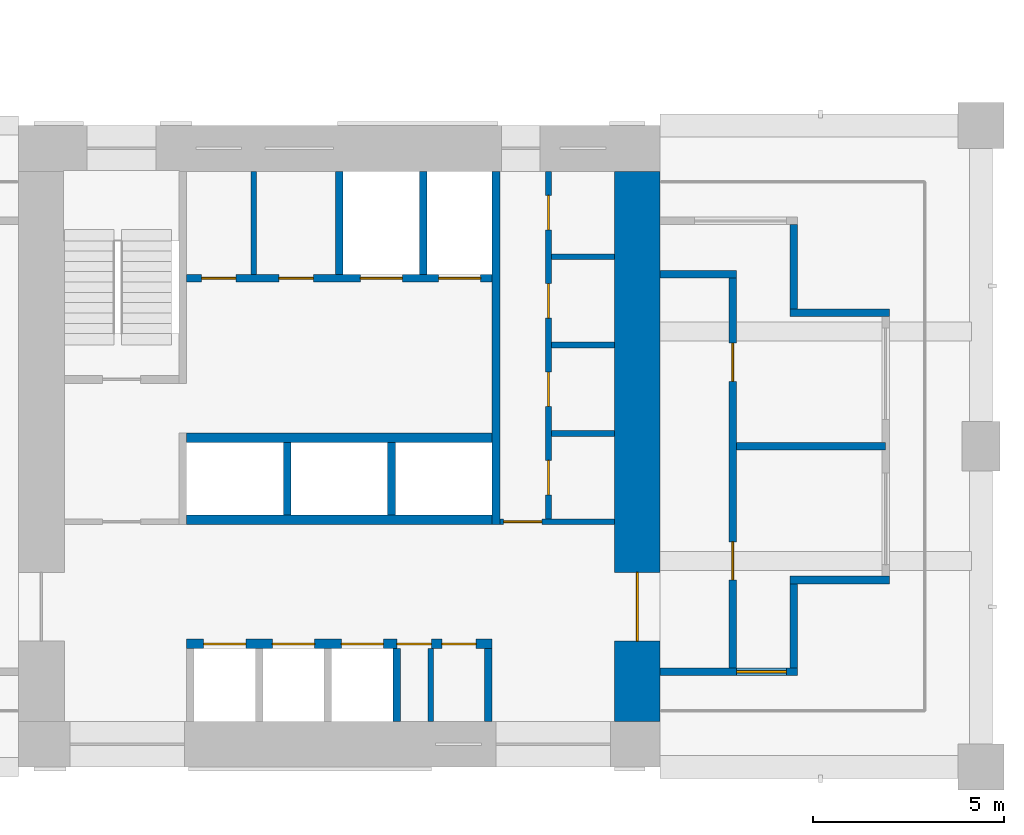
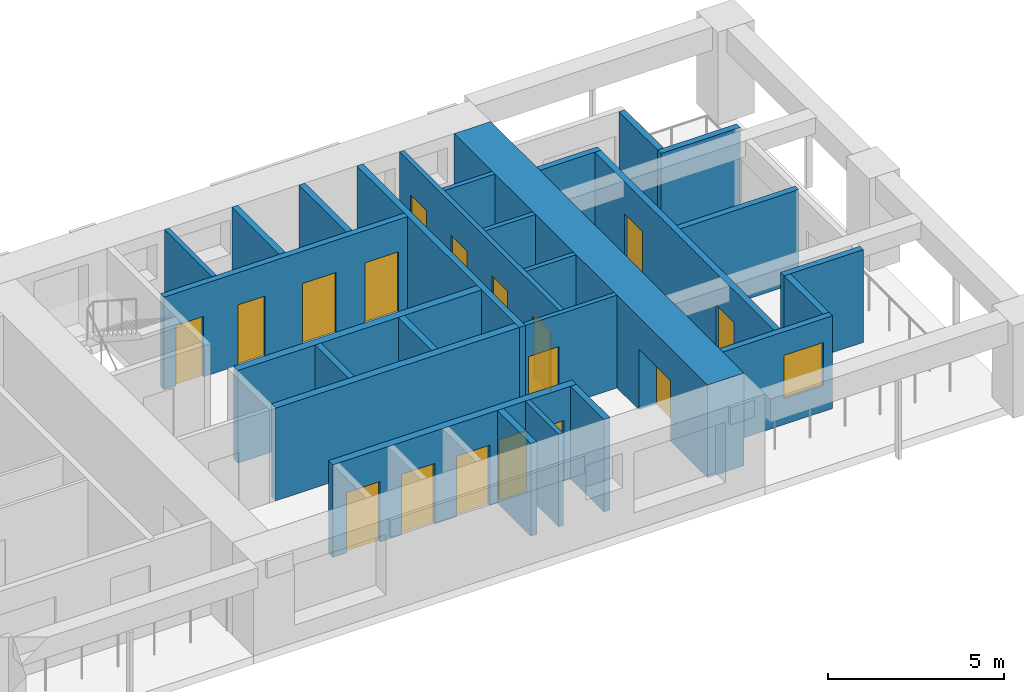
# One storey, part 6 of 17: 27 walls, 17 doors, 1 window, 18 openings.
"""IFC4 building model written with IfcOpenShell, lengths in metres."""

import ifcopenshell
import ifcopenshell.guid

model = None  # the IFC model being written
_history = None  # IfcOwnerHistory: only IFC2X3 demands one
_inside = {}  # id of a spatial element -> (the spatial element, [elements in it])
_under = {}  # id of a project, library or spatial element -> (it, [spatial elements below it])
_declared = {}  # id of a project -> (the project, [libraries it declares])
_typed = {}  # id of a type object -> (the type object, [elements of that type])
_made_of = {}  # id of a material, layer set ... -> (it, [elements and type objects made of it])


def new_model(schema):
    """Start an empty IFC model of exactly this schema.

    Asked for "IFC4X3", IfcOpenShell would pick the latest addendum, in which some entities
    have other attributes; the version numbers below select the first issue.
    IFC2X3 requires an IfcOwnerHistory on every rooted entity: one is made here for all.
    """
    global model, _history
    if schema == "IFC4X3":
        model = ifcopenshell.file(schema_version=(4, 3, 0, 0))
    else:
        model = ifcopenshell.file(schema=schema)
    _inside.clear()
    _under.clear()
    _declared.clear()
    _typed.clear()
    _made_of.clear()
    _history = None
    if model.schema == "IFC2X3":
        org = make("IfcOrganization", Name="unknown")
        user = make(
            "IfcPersonAndOrganization",
            ThePerson=make("IfcPerson", FamilyName="unknown"),
            TheOrganization=org,
        )
        app = make(
            "IfcApplication",
            ApplicationDeveloper=org,
            Version="unknown",
            ApplicationFullName="unknown",
            ApplicationIdentifier="unknown",
        )
        _history = make(
            "IfcOwnerHistory",
            OwningUser=user,
            OwningApplication=app,
            ChangeAction="ADDED",
            CreationDate=0,
        )
    return model


def make(cls, **values):
    """One entity of the class cls with the attributes given. An attribute that is None is left unset."""
    return model.create_entity(
        cls, **{name: value for name, value in values.items() if value is not None}
    )


def rooted(cls, **values):
    """An entity with a GlobalId (a new one), such as an element, a storey or a relation."""
    return make(cls, GlobalId=ifcopenshell.guid.new(), OwnerHistory=_history, **values)


def si_unit(unit_type, name, prefix=None):
    """IfcSIUnit, for example si_unit("LENGTHUNIT", "METRE", prefix="MILLI")."""
    return make("IfcSIUnit", UnitType=unit_type, Prefix=prefix, Name=name)


def assignment(units):
    """IfcUnitAssignment: the units of a project."""
    return None if units is None else make("IfcUnitAssignment", Units=units)


def point(xyz):
    """IfcCartesianPoint."""
    return None if xyz is None else make("IfcCartesianPoint", Coordinates=xyz)


def direction(xyz):
    """IfcDirection."""
    return None if xyz is None else make("IfcDirection", DirectionRatios=xyz)


def frame(location, z_axis=None, x_axis=None):
    """IfcAxis2Placement3D, a coordinate frame: its origin and axes. An axis left out is left unset."""
    return make(
        "IfcAxis2Placement3D",
        Location=point(location),
        Axis=direction(z_axis),
        RefDirection=direction(x_axis),
    )


def frame_2d(location, x_axis=None):
    """IfcAxis2Placement2D, a coordinate frame in the plane: its origin and x axis."""
    return make(
        "IfcAxis2Placement2D", Location=point(location), RefDirection=direction(x_axis)
    )


def origin():
    """The frame at (0, 0, 0) with its axes left unset."""
    return frame((0.0, 0.0, 0.0))


def place(relative_to, where):
    """IfcLocalPlacement: puts the frame where relative to a parent placement (None: the world)."""
    return make(
        "IfcLocalPlacement", PlacementRelTo=relative_to, RelativePlacement=where
    )


def context(
    kind, dimensions, precision=None, world=None, true_north=None, identifier=None
):
    """IfcGeometricRepresentationContext, for example the 3D "Model" context."""
    return make(
        "IfcGeometricRepresentationContext",
        ContextIdentifier=identifier,
        ContextType=kind,
        CoordinateSpaceDimension=dimensions,
        Precision=precision,
        WorldCoordinateSystem=world,
        TrueNorth=true_north,
    )


def subcontext(parent, identifier, kind, view, scale=None):
    """IfcGeometricRepresentationSubContext, for example "Body" below "Model"."""
    return make(
        "IfcGeometricRepresentationSubContext",
        ContextIdentifier=identifier,
        ContextType=kind,
        ParentContext=parent,
        TargetScale=scale,
        TargetView=view,
    )


def project(units=None, contexts=None):
    """IfcProject with its units and contexts."""
    return rooted(
        "IfcProject",
        Name="project",
        RepresentationContexts=contexts,
        UnitsInContext=assignment(units),
    )


def spatial(cls, under=None, at=None, **own):
    """A site, building, storey or space (cls), placed at a placement, below another one or the project."""
    s = rooted(cls, ObjectPlacement=at, **own)
    if under is not None:
        _under.setdefault(under.id(), (under, []))[1].append(s)
    return s


def profile(cls, at=None, kind="AREA", **sizes):
    """A parametric profile (cls). Its sizes go by their IFC names, for example OverallWidth=200.0."""
    return make(cls, ProfileType=kind, Position=at, **sizes)


def rectangle(**sizes):
    """IfcRectangleProfileDef."""
    return profile("IfcRectangleProfileDef", **sizes)


def extrude(swept, where, along, depth):
    """IfcExtrudedAreaSolid: the profile swept, set in the frame where, extruded along a direction by depth."""
    return make(
        "IfcExtrudedAreaSolid",
        SweptArea=swept,
        Position=where,
        ExtrudedDirection=direction(along),
        Depth=depth,
    )


def shape(context_of_items, identifier, shape_type, items):
    """IfcShapeRepresentation: the items that make up one representation, for example the "Body"."""
    return make(
        "IfcShapeRepresentation",
        ContextOfItems=context_of_items,
        RepresentationIdentifier=identifier,
        RepresentationType=shape_type,
        Items=items,
    )


def material(Name=None, Category=None):
    """IfcMaterial."""
    return make("IfcMaterial", Name=Name, Category=Category)


def layer(
    of_material, thickness, ventilated=None, Name=None, Category=None, Priority=None
):
    """IfcMaterialLayer: one layer of a wall or slab, of a material (None: an air gap)."""
    return make(
        "IfcMaterialLayer",
        Material=of_material,
        LayerThickness=thickness,
        IsVentilated=ventilated,
        Name=Name,
        Category=Category,
        Priority=Priority,
    )


def layer_set(layers, Name=None):
    """IfcMaterialLayerSet."""
    return make("IfcMaterialLayerSet", MaterialLayers=layers, LayerSetName=Name)


def made_of(thing, what):
    """Note that an element or type object is made of a material, layer set ...; save() writes the relation."""
    if what is not None:
        _made_of.setdefault(what.id(), (what, []))[1].append(thing)
    return thing


def type_object(cls, material=None, **own):
    """A type object (cls), such as IfcWallType, which elements share."""
    return made_of(rooted(cls, **own), material)


def element(
    cls,
    number,
    at=None,
    inside=None,
    cuts=None,
    type_object=None,
    material=None,
    context=None,
    identifier="Body",
    shape_type=None,
    held_by="IfcProductDefinitionShape",
    body=None,
    shapes=None,
    **own,
):
    """One element of the class cls, such as IfcWall. Its Tag is "e" and its number.

    at: its placement. inside: the storey or other place that contains it. cuts: it is an
    opening in that element (IfcRelVoidsElement). A single representation is given by context,
    identifier, shape_type and body (its items); several are given by shapes. held_by: the class
    of the entity that holds the representations. save() writes the other relations.
    """
    e = rooted(cls, Tag="e%d" % number, ObjectPlacement=at, **own)
    if body is not None:
        shapes = [shape(context, identifier, shape_type, body)]
    if shapes is not None:
        e.Representation = make(held_by, Representations=shapes)
    if inside is not None:
        _inside.setdefault(inside.id(), (inside, []))[1].append(e)
    if cuts is not None:
        rooted(
            "IfcRelVoidsElement", RelatingBuildingElement=cuts, RelatedOpeningElement=e
        )
    if type_object is not None:
        _typed.setdefault(type_object.id(), (type_object, []))[1].append(e)
    return made_of(e, material)


def fill(opening, filler):
    """IfcRelFillsElement: the door or window that sits in an opening."""
    return rooted(
        "IfcRelFillsElement",
        RelatingOpeningElement=opening,
        RelatedBuildingElement=filler,
    )


def aggregate(whole, parts):
    """IfcRelAggregates: a whole, such as a stair, and the parts it consists of."""
    return rooted("IfcRelAggregates", RelatingObject=whole, RelatedObjects=parts)


def save(model, path):
    """Write the relations noted so far, then the file.

    IfcRelAggregates (storeys below a building ...), IfcRelContainedInSpatialStructure (elements
    in a storey), IfcRelDefinesByType, IfcRelAssociatesMaterial and IfcRelDeclares: one each for
    every whole, place, type object, material and project.
    """
    for whole, parts in _under.values():
        aggregate(whole, parts)
    for where, things in _inside.values():
        rooted(
            "IfcRelContainedInSpatialStructure",
            RelatedElements=things,
            RelatingStructure=where,
        )
    for kind, things in _typed.values():
        rooted("IfcRelDefinesByType", RelatedObjects=things, RelatingType=kind)
    for what, things in _made_of.values():
        rooted("IfcRelAssociatesMaterial", RelatedObjects=things, RelatingMaterial=what)
    for by, libraries in _declared.values():
        rooted("IfcRelDeclares", RelatingContext=by, RelatedDefinitions=libraries)
    model.write(path)


model = new_model("IFC4")

# Units and contexts
model_context = context("Model", 3, precision=1e-05, world=origin(), true_north=direction((0.0, 1.0)))
body_context = subcontext(model_context, "Body", "Model", "MODEL_VIEW")
ifc_project = project(units=[si_unit("LENGTHUNIT", "METRE"), si_unit("AREAUNIT", "SQUARE_METRE"), si_unit("VOLUMEUNIT", "CUBIC_METRE"), si_unit("PLANEANGLEUNIT", "RADIAN"), si_unit("MASSUNIT", "GRAM", prefix="KILO")], contexts=[model_context])

# Site, building, storey
site_placement = place(None, origin())
site = spatial("IfcSite", under=ifc_project, at=site_placement, CompositionType="ELEMENT")
building_placement = place(site_placement, origin())
building = spatial("IfcBuilding", under=site, at=building_placement, Name="Vermilion Gate Residences", CompositionType="ELEMENT")
storey_placement = place(building_placement, frame((0.0, 0.0, 98.699951171875)))
storey = spatial("IfcBuildingStorey", under=building, at=storey_placement, Name="L24", CompositionType="ELEMENT", Elevation=98.699951171875)

# Walls
ifc_material_1 = material(Name="Masonry blockwork", Category="masonry")
ifc_layer_1 = layer(ifc_material_1, 0.14990234375)
ifc_layer_set_1 = layer_set([ifc_layer_1], Name="BLOCKWORK PARTITION 150 EI 120")
wall_type_1 = type_object("IfcWallType", Name="BLOCKWORK PARTITION 150 EI 120", PredefinedType="PARTITIONING", material=ifc_layer_set_1)
wall_1_placement = place(storey_placement, frame((52.79248046875, 9.60009765625, 0.0), z_axis=(0.0, 0.0, 1.0), x_axis=(0.0, 1.0, 0.0)))
element("IfcWall", 1, at=wall_1_placement, inside=storey, type_object=wall_type_1, Name="Core room partition A24-SR-P0", PredefinedType="PARTITIONING", context=body_context, shape_type="SweptSolid", body=[
    extrude(rectangle(XDim=1.89990234375, YDim=0.14990234375, at=frame_2d((0.949951171875, 0.0))), origin(), (0.0, 0.0, 1.0), 3.219970703125),
])
wall_2_placement = place(storey_placement, frame((48.16259765625, 21.300048828125, 0.0), z_axis=(0.0, 0.0, 1.0), x_axis=(0.0, 1.0, 0.0)))
element("IfcWall", 2, at=wall_2_placement, inside=storey, type_object=wall_type_1, Name="Core room partition A24-NR-P0", PredefinedType="PARTITIONING", context=body_context, shape_type="SweptSolid", body=[
    extrude(rectangle(XDim=2.699951171875, YDim=0.14990234375, at=frame_2d((1.35009765625, 0.0))), origin(), (0.0, 0.0, 1.0), 3.219970703125),
])

# Wall, opening, door
wall_3_placement = place(storey_placement, frame((54.60009765625, 14.824951171875, 0.0), z_axis=(0.0, 0.0, 1.0), x_axis=(1.0, 0.0, 0.0)))
wall_3 = element("IfcWall", 3, at=wall_3_placement, inside=storey, type_object=wall_type_1, Name="Core room partition A24-ES-S", PredefinedType="PARTITIONING", context=body_context, shape_type="SweptSolid", body=[
    extrude(rectangle(XDim=3.0, YDim=0.14990234375, at=frame_2d((1.5, 0.0))), origin(), (0.0, 0.0, 1.0), 3.219970703125),
])
opening_1_placement = place(wall_3_placement, frame((0.10009765625, 0.0, 0.0)))
opening_1 = element("IfcOpeningElement", 4, at=opening_1_placement, cuts=wall_3, Name="Opening DK24014", PredefinedType="OPENING", context=body_context, shape_type="SweptSolid", body=[
    extrude(rectangle(XDim=1.0, YDim=2.10009765625, at=frame_2d((0.5, 1.050048828125))), frame((0.0, 0.0849609375, 0.0), z_axis=(0.0, -1.0, 0.0), x_axis=(1.0, 0.0, 0.0)), (0.0, 0.0, 1.0), 0.169921875),
])
ifc_material_2 = material(Name="Steel", Category="steel")
door_type_1 = type_object("IfcDoorType", Name="FIRE DOOR FD60 1000 X 2100", OperationType="SINGLE_SWING_LEFT", PredefinedType="DOOR", material=ifc_material_2)
door_1_placement = place(opening_1_placement, frame((1.0, 0.0, 0.0), z_axis=(0.0, 0.0, 1.0), x_axis=(-1.0, 0.0, 0.0)))
door_1 = element("IfcDoor", 5, at=door_1_placement, inside=storey, type_object=door_type_1, Name="Service corridor door A24", OperationType="SINGLE_SWING_LEFT", OverallHeight=2.10009765625, OverallWidth=1.0, PredefinedType="DOOR", context=body_context, shape_type="SweptSolid", body=[
    extrude(rectangle(XDim=1.0, YDim=2.10009765625, at=frame_2d((0.5, 1.050048828125))), frame((0.0, 0.02490234375, 0.0), z_axis=(0.0, -1.0, 0.0), x_axis=(1.0, 0.0, 0.0)), (0.0, 0.0, 1.0), 0.050048828125),
])
fill(opening_1, door_1)

# Walls
for number, where, z_axis, x_axis, name in (
    (6, (55.949951171875, 17.137451171875, 0.0), (0.0, 0.0, 1.0), (1.0, 0.0, 0.0), "Core room partition A24-ES-P0"),
    (7, (55.949951171875, 19.449951171875, 0.0), (0.0, 0.0, 1.0), (1.0, 0.0, 0.0), "Core room partition A24-ES-P1"),
    (8, (55.949951171875, 21.762451171875, 0.0), (0.0, 0.0, 1.0), (1.0, 0.0, 0.0), "Core room partition A24-ES-P2"),
):
    element("IfcWall", number, at=place(storey_placement, frame(where, z_axis=z_axis, x_axis=x_axis)), inside=storey, type_object=wall_type_1, Name=name, PredefinedType="PARTITIONING", context=body_context, shape_type="SweptSolid", body=[
        extrude(rectangle(XDim=1.650146484375, YDim=0.14990234375, at=frame_2d((0.8251953125, 0.0))), origin(), (0.0, 0.0, 1.0), 3.219970703125),
    ])

# Wall, openings, doors
wall_4_placement = place(storey_placement, frame((55.875, 14.89990234375, 0.0), z_axis=(0.0, 0.0, 1.0), x_axis=(0.0, 1.0, 0.0)))
wall_4 = element("IfcWall", 9, at=wall_4_placement, inside=storey, type_object=wall_type_1, Name="Core room partition A24-ES-W", PredefinedType="PARTITIONING", context=body_context, shape_type="SweptSolid", body=[
    extrude(rectangle(XDim=9.10009765625, YDim=0.14990234375, at=frame_2d((4.550048828125, 0.0))), origin(), (0.0, 0.0, 1.0), 3.219970703125),
])
opening_2_placement = place(wall_4_placement, frame((0.63134765625, 0.0, 0.0)))
opening_2 = element("IfcOpeningElement", 10, at=opening_2_placement, cuts=wall_4, Name="Opening DK24015", PredefinedType="OPENING", context=body_context, shape_type="SweptSolid", body=[
    extrude(rectangle(XDim=0.89990234375, YDim=2.10009765625, at=frame_2d((0.449951171875, 1.050048828125))), frame((0.0, 0.0849609375, 0.0), z_axis=(0.0, -1.0, 0.0), x_axis=(1.0, 0.0, 0.0)), (0.0, 0.0, 1.0), 0.169921875),
])
opening_3_placement = place(wall_4_placement, frame((2.94384765625, 0.0, 0.0)))
opening_3 = element("IfcOpeningElement", 11, at=opening_3_placement, cuts=wall_4, Name="Opening DK24016", PredefinedType="OPENING", context=body_context, shape_type="SweptSolid", body=[
    extrude(rectangle(XDim=0.89990234375, YDim=2.10009765625, at=frame_2d((0.449951171875, 1.050048828125))), frame((0.0, 0.0849609375, 0.0), z_axis=(0.0, -1.0, 0.0), x_axis=(1.0, 0.0, 0.0)), (0.0, 0.0, 1.0), 0.169921875),
])
opening_4_placement = place(wall_4_placement, frame((5.25634765625, 0.0, 0.0)))
opening_4 = element("IfcOpeningElement", 12, at=opening_4_placement, cuts=wall_4, Name="Opening DK24017", PredefinedType="OPENING", context=body_context, shape_type="SweptSolid", body=[
    extrude(rectangle(XDim=0.89990234375, YDim=2.10009765625, at=frame_2d((0.449951171875, 1.050048828125))), frame((0.0, 0.0849609375, 0.0), z_axis=(0.0, -1.0, 0.0), x_axis=(1.0, 0.0, 0.0)), (0.0, 0.0, 1.0), 0.169921875),
])
opening_5_placement = place(wall_4_placement, frame((7.56884765625, 0.0, 0.0)))
opening_5 = element("IfcOpeningElement", 13, at=opening_5_placement, cuts=wall_4, Name="Opening DK24018", PredefinedType="OPENING", context=body_context, shape_type="SweptSolid", body=[
    extrude(rectangle(XDim=0.89990234375, YDim=2.10009765625, at=frame_2d((0.449951171875, 1.050048828125))), frame((0.0, 0.0849609375, 0.0), z_axis=(0.0, -1.0, 0.0), x_axis=(1.0, 0.0, 0.0)), (0.0, 0.0, 1.0), 0.169921875),
])
ifc_material_3 = material(Name="Steel", Category="steel")
door_type_2 = type_object("IfcDoorType", Name="SERVICE ROOM DOOR FD60 900 X 2100", OperationType="SINGLE_SWING_LEFT", PredefinedType="DOOR", material=ifc_material_3)
door_2_placement = place(opening_2_placement, frame((0.89990234375, 0.0, 0.0), z_axis=(0.0, 0.0, 1.0), x_axis=(-1.0, 0.0, 0.0)))
door_2 = element("IfcDoor", 14, at=door_2_placement, inside=storey, type_object=door_type_2, Name="Electrical room A24", OperationType="SINGLE_SWING_RIGHT", OverallHeight=2.10009765625, OverallWidth=0.89990234375, PredefinedType="DOOR", context=body_context, shape_type="SweptSolid", body=[
    extrude(rectangle(XDim=0.89990234375, YDim=2.10009765625, at=frame_2d((0.449951171875, 1.050048828125))), frame((0.0, 0.02490234375, 0.0), z_axis=(0.0, -1.0, 0.0), x_axis=(1.0, 0.0, 0.0)), (0.0, 0.0, 1.0), 0.050048828125),
])
fill(opening_2, door_2)
door_3_placement = place(opening_3_placement, frame((0.89990234375, 0.0, 0.0), z_axis=(0.0, 0.0, 1.0), x_axis=(-1.0, 0.0, 0.0)))
door_3 = element("IfcDoor", 15, at=door_3_placement, inside=storey, type_object=door_type_2, Name="Storage room A24", OperationType="SINGLE_SWING_RIGHT", OverallHeight=2.10009765625, OverallWidth=0.89990234375, PredefinedType="DOOR", context=body_context, shape_type="SweptSolid", body=[
    extrude(rectangle(XDim=0.89990234375, YDim=2.10009765625, at=frame_2d((0.449951171875, 1.050048828125))), frame((0.0, 0.02490234375, 0.0), z_axis=(0.0, -1.0, 0.0), x_axis=(1.0, 0.0, 0.0)), (0.0, 0.0, 1.0), 0.050048828125),
])
fill(opening_3, door_3)
door_4_placement = place(opening_4_placement, frame((0.89990234375, 0.0, 0.0), z_axis=(0.0, 0.0, 1.0), x_axis=(-1.0, 0.0, 0.0)))
door_4 = element("IfcDoor", 16, at=door_4_placement, inside=storey, type_object=door_type_2, Name="Storage room A24", OperationType="SINGLE_SWING_RIGHT", OverallHeight=2.10009765625, OverallWidth=0.89990234375, PredefinedType="DOOR", context=body_context, shape_type="SweptSolid", body=[
    extrude(rectangle(XDim=0.89990234375, YDim=2.10009765625, at=frame_2d((0.449951171875, 1.050048828125))), frame((0.0, 0.02490234375, 0.0), z_axis=(0.0, -1.0, 0.0), x_axis=(1.0, 0.0, 0.0)), (0.0, 0.0, 1.0), 0.050048828125),
])
fill(opening_4, door_4)
door_5_placement = place(opening_5_placement, frame((0.89990234375, 0.0, 0.0), z_axis=(0.0, 0.0, 1.0), x_axis=(-1.0, 0.0, 0.0)))
door_5 = element("IfcDoor", 17, at=door_5_placement, inside=storey, type_object=door_type_2, Name="Communications room A24", OperationType="SINGLE_SWING_RIGHT", OverallHeight=2.10009765625, OverallWidth=0.89990234375, PredefinedType="DOOR", context=body_context, shape_type="SweptSolid", body=[
    extrude(rectangle(XDim=0.89990234375, YDim=2.10009765625, at=frame_2d((0.449951171875, 1.050048828125))), frame((0.0, 0.02490234375, 0.0), z_axis=(0.0, -1.0, 0.0), x_axis=(1.0, 0.0, 0.0)), (0.0, 0.0, 1.0), 0.050048828125),
])
fill(opening_5, door_5)

# Wall, opening, window
ifc_material_4 = material(Name="Insulated steel stud wall with terracotta rainscreen", Category="masonry")
ifc_layer_2 = layer(ifc_material_4, 0.199951171875)
ifc_layer_set_2 = layer_set([ifc_layer_2], Name="EXTERNAL WALL 200 TERRACOTTA RAINSCREEN")
wall_type_2 = type_object("IfcWallType", Name="EXTERNAL WALL 200 TERRACOTTA RAINSCREEN", PredefinedType="SOLIDWALL", material=ifc_layer_set_2)
wall_5_placement = place(storey_placement, frame((58.800048828125, 10.89990234375, 0.0), z_axis=(0.0, 0.0, 1.0), x_axis=(1.0, 0.0, 0.0)))
wall_5 = element("IfcWall", 18, at=wall_5_placement, inside=storey, type_object=wall_type_2, Name="External wall", PredefinedType="SOLIDWALL", context=body_context, shape_type="SweptSolid", body=[
    extrude(rectangle(XDim=3.599853515625, YDim=0.199951171875, at=frame_2d((1.7998046875, 0.0))), origin(), (0.0, 0.0, 1.0), 3.219970703125),
])
opening_6_placement = place(wall_5_placement, frame((2.0, 0.0, 0.89990234375)))
opening_6 = element("IfcOpeningElement", 19, at=opening_6_placement, cuts=wall_5, Name="Opening WE24020", PredefinedType="OPENING", context=body_context, shape_type="SweptSolid", body=[
    extrude(rectangle(XDim=1.300048828125, YDim=1.5, at=frame_2d((0.64990234375, 0.75))), frame((0.0, 0.10986328125, 0.0), z_axis=(0.0, -1.0, 0.0), x_axis=(1.0, 0.0, 0.0)), (0.0, 0.0, 1.0), 0.219970703125),
])
ifc_material_5 = material(Name="Aluminium and clear glass", Category="aluminium")
window_type = type_object("IfcWindowType", Name="WINDOW 1300 X 1500", PartitioningType="SINGLE_PANEL", PredefinedType="WINDOW", material=ifc_material_5)
window_placement = place(opening_6_placement, origin())
window = element("IfcWindow", 20, at=window_placement, inside=storey, type_object=window_type, Name="Window", OverallHeight=1.5, OverallWidth=1.300048828125, PartitioningType="SINGLE_PANEL", PredefinedType="WINDOW", context=body_context, shape_type="SweptSolid", body=[
    extrude(rectangle(XDim=1.300048828125, YDim=1.5, at=frame_2d((0.64990234375, 0.75))), frame((0.0, 0.030029296875, 0.0), z_axis=(0.0, -1.0, 0.0), x_axis=(1.0, 0.0, 0.0)), (0.0, 0.0, 1.0), 0.06005859375),
])
fill(opening_6, window)

# Walls
wall_6_placement = place(storey_placement, frame((62.300048828125, 11.0, 0.0), z_axis=(0.0, 0.0, 1.0), x_axis=(0.0, 1.0, 0.0)))
element("IfcWall", 21, at=wall_6_placement, inside=storey, type_object=wall_type_2, Name="External wall", PredefinedType="SOLIDWALL", context=body_context, shape_type="SweptSolid", body=[
    extrude(rectangle(XDim=2.199951171875, YDim=0.199951171875, at=frame_2d((1.10009765625, 0.0))), origin(), (0.0, 0.0, 1.0), 3.219970703125),
])
for number, where, z_axis, x_axis, name in (
    (22, (62.199951171875, 13.300048828125, 0.0), (0.0, 0.0, 1.0), (1.0, 0.0, 0.0), "External wall"),
    (23, (64.800048828125, 20.300048828125, 0.0), (0.0, 0.0, 1.0), (-1.0, 0.0, 0.0), "External wall"),
):
    element("IfcWall", number, at=place(storey_placement, frame(where, z_axis=z_axis, x_axis=x_axis)), inside=storey, type_object=wall_type_2, Name=name, PredefinedType="SOLIDWALL", context=body_context, shape_type="SweptSolid", body=[
        extrude(rectangle(XDim=2.60009765625, YDim=0.199951171875, at=frame_2d((1.300048828125, 0.0))), origin(), (0.0, 0.0, 1.0), 3.219970703125),
    ])
wall_7_placement = place(storey_placement, frame((62.300048828125, 20.39990234375, 0.0), z_axis=(0.0, 0.0, 1.0), x_axis=(0.0, 1.0, 0.0)))
element("IfcWall", 24, at=wall_7_placement, inside=storey, type_object=wall_type_2, Name="External wall", PredefinedType="SOLIDWALL", context=body_context, shape_type="SweptSolid", body=[
    extrude(rectangle(XDim=2.2001953125, YDim=0.199951171875, at=frame_2d((1.10009765625, 0.0))), origin(), (0.0, 0.0, 1.0), 3.219970703125),
])
ifc_material_6 = material(Name="Fire-rated plasterboard on steel studs", Category="steel")
ifc_layer_3 = layer(ifc_material_6, 0.199951171875)
ifc_layer_set_3 = layer_set([ifc_layer_3], Name="PARTY WALL 200 EI 120")
wall_type_3 = type_object("IfcWallType", Name="PARTY WALL 200 EI 120", PredefinedType="PARTITIONING", material=ifc_layer_set_3)
wall_8_placement = place(storey_placement, frame((60.800048828125, 16.800048828125, 0.0), z_axis=(0.0, 0.0, 1.0), x_axis=(1.0, 0.0, 0.0)))
element("IfcWall", 25, at=wall_8_placement, inside=storey, type_object=wall_type_3, Name="Party and corridor wall", PredefinedType="PARTITIONING", context=body_context, shape_type="SweptSolid", body=[
    extrude(rectangle(XDim=3.89990234375, YDim=0.199951171875, at=frame_2d((1.949951171875, 0.0))), origin(), (0.0, 0.0, 1.0), 3.219970703125),
])
wall_9_placement = place(storey_placement, frame((58.800048828125, 21.300048828125, 0.0), z_axis=(0.0, 0.0, 1.0), x_axis=(1.0, 0.0, 0.0)))
element("IfcWall", 26, at=wall_9_placement, inside=storey, type_object=wall_type_3, Name="Party and corridor wall", PredefinedType="PARTITIONING", context=body_context, shape_type="SweptSolid", body=[
    extrude(rectangle(XDim=2.0, YDim=0.199951171875, at=frame_2d((1.0, 0.0))), origin(), (0.0, 0.0, 1.0), 3.219970703125),
])

# Wall, openings, doors
wall_10_placement = place(storey_placement, frame((60.699951171875, 10.89990234375, 0.0), z_axis=(0.0, 0.0, 1.0), x_axis=(0.0, 1.0, 0.0)))
wall_10 = element("IfcWall", 27, at=wall_10_placement, inside=storey, type_object=wall_type_3, Name="Party and corridor wall", PredefinedType="PARTITIONING", context=body_context, shape_type="SweptSolid", body=[
    extrude(rectangle(XDim=10.300048828125, YDim=0.199951171875, at=frame_2d((5.14990234375, 0.0))), origin(), (0.0, 0.0, 1.0), 3.219970703125),
])
opening_7_placement = place(wall_10_placement, frame((2.39990234375, 0.0, 0.0)))
opening_7 = element("IfcOpeningElement", 28, at=opening_7_placement, cuts=wall_10, Name="Opening DA22051", PredefinedType="OPENING", context=body_context, shape_type="SweptSolid", body=[
    extrude(rectangle(XDim=1.0, YDim=2.10009765625, at=frame_2d((0.5, 1.050048828125))), frame((0.0, 0.10986328125, 0.0), z_axis=(0.0, -1.0, 0.0), x_axis=(1.0, 0.0, 0.0)), (0.0, 0.0, 1.0), 0.219970703125),
])
opening_8_placement = place(wall_10_placement, frame((7.60009765625, 0.0, 0.0)))
opening_8 = element("IfcOpeningElement", 29, at=opening_8_placement, cuts=wall_10, Name="Opening DA22052", PredefinedType="OPENING", context=body_context, shape_type="SweptSolid", body=[
    extrude(rectangle(XDim=1.0, YDim=2.10009765625, at=frame_2d((0.5, 1.050048828125))), frame((0.0, 0.10986328125, 0.0), z_axis=(0.0, -1.0, 0.0), x_axis=(1.0, 0.0, 0.0)), (0.0, 0.0, 1.0), 0.219970703125),
])
ifc_material_7 = material(Name="Steel", Category="steel")
door_type_3 = type_object("IfcDoorType", Name="ENTRANCE DOOR 1000 X 2100 FD30", OperationType="SINGLE_SWING_LEFT", PredefinedType="DOOR", material=ifc_material_7)
door_6_placement = place(opening_7_placement, frame((1.0, 0.0, 0.0), z_axis=(0.0, 0.0, 1.0), x_axis=(-1.0, 0.0, 0.0)))
door_6 = element("IfcDoor", 30, at=door_6_placement, inside=storey, type_object=door_type_3, Name="Entrance door", OperationType="SINGLE_SWING_RIGHT", OverallHeight=2.10009765625, OverallWidth=1.0, PredefinedType="DOOR", context=body_context, shape_type="SweptSolid", body=[
    extrude(rectangle(XDim=1.0, YDim=2.10009765625, at=frame_2d((0.5, 1.050048828125))), frame((0.0, 0.02490234375, 0.0), z_axis=(0.0, -1.0, 0.0), x_axis=(1.0, 0.0, 0.0)), (0.0, 0.0, 1.0), 0.050048828125),
])
fill(opening_7, door_6)
door_7_placement = place(opening_8_placement, frame((1.0, 0.0, 0.0), z_axis=(0.0, 0.0, 1.0), x_axis=(-1.0, 0.0, 0.0)))
door_7 = element("IfcDoor", 31, at=door_7_placement, inside=storey, type_object=door_type_3, Name="Entrance door", OperationType="SINGLE_SWING_RIGHT", OverallHeight=2.10009765625, OverallWidth=1.0, PredefinedType="DOOR", context=body_context, shape_type="SweptSolid", body=[
    extrude(rectangle(XDim=1.0, YDim=2.10009765625, at=frame_2d((0.5, 1.050048828125))), frame((0.0, 0.02490234375, 0.0), z_axis=(0.0, -1.0, 0.0), x_axis=(1.0, 0.0, 0.0)), (0.0, 0.0, 1.0), 0.050048828125),
])
fill(opening_8, door_7)

# Walls
ifc_material_8 = material(Name="Concrete C60", Category="concrete")
ifc_layer_4 = layer(ifc_material_8, 0.199951171875)
ifc_layer_set_4 = layer_set([ifc_layer_4], Name="RC CORE INTERNAL WALL 200 C60")
wall_type_4 = type_object("IfcWallType", Name="RC CORE INTERNAL WALL 200 C60", PredefinedType="SHEAR", material=ifc_layer_set_4)
for number, where, z_axis, x_axis, name in (
    (32, (51.89990234375, 9.60009765625, 0.0), (0.0, 0.0, 1.0), (0.0, 1.0, 0.0), "Core internal wall A24-LR-D3"),
    (33, (54.300048828125, 9.60009765625, 0.0), (0.0, 0.0, 1.0), (0.0, 1.0, 0.0), "Core internal wall A24-LR-DE"),
    (34, (49.033447265625, 15.0, 0.0), (0.0, 0.0, 1.0), (0.0, 1.0, 0.0), "Core internal wall A24-HR-D1"),
    (35, (51.7666015625, 15.0, 0.0), (0.0, 0.0, 1.0), (0.0, 1.0, 0.0), "Core internal wall A24-HR-D2"),
):
    element("IfcWall", number, at=place(storey_placement, frame(where, z_axis=z_axis, x_axis=x_axis)), inside=storey, type_object=wall_type_4, Name=name, PredefinedType="SHEAR", context=body_context, shape_type="SweptSolid", body=[
        extrude(rectangle(XDim=1.89990234375, YDim=0.199951171875, at=frame_2d((0.949951171875, 0.0))), origin(), (0.0, 0.0, 1.0), 3.219970703125),
    ])
for number, where, z_axis, x_axis, name in (
    (36, (50.39990234375, 21.300048828125, 0.0), (0.0, 0.0, 1.0), (0.0, 1.0, 0.0), "Core internal wall A24-FF-D0"),
    (37, (52.60009765625, 21.300048828125, 0.0), (0.0, 0.0, 1.0), (0.0, 1.0, 0.0), "Core internal wall A24-FF-D1"),
):
    element("IfcWall", number, at=place(storey_placement, frame(where, z_axis=z_axis, x_axis=x_axis)), inside=storey, type_object=wall_type_4, Name=name, PredefinedType="SHEAR", context=body_context, shape_type="SweptSolid", body=[
        extrude(rectangle(XDim=2.699951171875, YDim=0.199951171875, at=frame_2d((1.35009765625, 0.0))), origin(), (0.0, 0.0, 1.0), 3.219970703125),
    ])

# Wall, openings, doors
wall_11_placement = place(storey_placement, frame((46.39990234375, 21.199951171875, 0.0), z_axis=(0.0, 0.0, 1.0), x_axis=(1.0, 0.0, 0.0)))
wall_11 = element("IfcWall", 38, at=wall_11_placement, inside=storey, type_object=wall_type_4, Name="Core internal wall A24-FF-F", PredefinedType="SHEAR", context=body_context, shape_type="SweptSolid", body=[
    extrude(rectangle(XDim=8.0, YDim=0.199951171875, at=frame_2d((4.0, 0.0))), origin(), (0.0, 0.0, 1.0), 3.219970703125),
])
opening_9_placement = place(wall_11_placement, frame((0.393798828125, 0.0, 0.0)))
opening_9 = element("IfcOpeningElement", 39, at=opening_9_placement, cuts=wall_11, Name="Opening DK24008", PredefinedType="OPENING", context=body_context, shape_type="SweptSolid", body=[
    extrude(rectangle(XDim=0.89990234375, YDim=2.10009765625, at=frame_2d((0.449951171875, 1.050048828125))), frame((0.0, 0.10986328125, 0.0), z_axis=(0.0, -1.0, 0.0), x_axis=(1.0, 0.0, 0.0)), (0.0, 0.0, 1.0), 0.219970703125),
])
opening_10_placement = place(wall_11_placement, frame((2.418701171875, 0.0, 0.0)))
opening_10 = element("IfcOpeningElement", 40, at=opening_10_placement, cuts=wall_11, Name="Opening DK24009", PredefinedType="OPENING", context=body_context, shape_type="SweptSolid", body=[
    extrude(rectangle(XDim=0.89990234375, YDim=2.10009765625, at=frame_2d((0.449951171875, 1.050048828125))), frame((0.0, 0.10986328125, 0.0), z_axis=(0.0, -1.0, 0.0), x_axis=(1.0, 0.0, 0.0)), (0.0, 0.0, 1.0), 0.219970703125),
])
opening_11_placement = place(wall_11_placement, frame((4.550048828125, 0.0, 0.0)))
opening_11 = element("IfcOpeningElement", 41, at=opening_11_placement, cuts=wall_11, Name="Opening LD", PredefinedType="OPENING", context=body_context, shape_type="SweptSolid", body=[
    extrude(rectangle(XDim=1.10009765625, YDim=2.10009765625, at=frame_2d((0.550048828125, 1.050048828125))), frame((0.0, 0.10986328125, 0.0), z_axis=(0.0, -1.0, 0.0), x_axis=(1.0, 0.0, 0.0)), (0.0, 0.0, 1.0), 0.219970703125),
])
opening_12_placement = place(wall_11_placement, frame((6.60009765625, 0.0, 0.0)))
opening_12 = element("IfcOpeningElement", 42, at=opening_12_placement, cuts=wall_11, Name="Opening LD", PredefinedType="OPENING", context=body_context, shape_type="SweptSolid", body=[
    extrude(rectangle(XDim=1.10009765625, YDim=2.10009765625, at=frame_2d((0.550048828125, 1.050048828125))), frame((0.0, 0.10986328125, 0.0), z_axis=(0.0, -1.0, 0.0), x_axis=(1.0, 0.0, 0.0)), (0.0, 0.0, 1.0), 0.219970703125),
])
ifc_material_9 = material(Name="Stainless steel", Category="steel")
door_type_4 = type_object("IfcDoorType", Name="LIFT LANDING DOOR E60 1100 X 2100", OperationType="DOUBLE_DOOR_SLIDING", PredefinedType="DOOR", material=ifc_material_9)
door_8_placement = place(opening_11_placement, origin())
door_8 = element("IfcDoor", 43, at=door_8_placement, inside=storey, type_object=door_type_4, Name="Lift landing door LFA1", OperationType="DOUBLE_DOOR_SLIDING", OverallHeight=2.10009765625, OverallWidth=1.10009765625, PredefinedType="DOOR", context=body_context, shape_type="SweptSolid", body=[
    extrude(rectangle(XDim=1.10009765625, YDim=2.10009765625, at=frame_2d((0.550048828125, 1.050048828125))), frame((0.0, 0.02490234375, 0.0), z_axis=(0.0, -1.0, 0.0), x_axis=(1.0, 0.0, 0.0)), (0.0, 0.0, 1.0), 0.050048828125),
])
fill(opening_11, door_8)
door_9_placement = place(opening_12_placement, origin())
door_9 = element("IfcDoor", 44, at=door_9_placement, inside=storey, type_object=door_type_4, Name="Lift landing door LCA1", OperationType="DOUBLE_DOOR_SLIDING", OverallHeight=2.10009765625, OverallWidth=1.10009765625, PredefinedType="DOOR", context=body_context, shape_type="SweptSolid", body=[
    extrude(rectangle(XDim=1.10009765625, YDim=2.10009765625, at=frame_2d((0.550048828125, 1.050048828125))), frame((0.0, 0.02490234375, 0.0), z_axis=(0.0, -1.0, 0.0), x_axis=(1.0, 0.0, 0.0)), (0.0, 0.0, 1.0), 0.050048828125),
])
fill(opening_12, door_9)
door_10_placement = place(opening_9_placement, origin())
door_10 = element("IfcDoor", 45, at=door_10_placement, inside=storey, type_object=door_type_2, Name="Parcel room A24", OperationType="SINGLE_SWING_LEFT", OverallHeight=2.10009765625, OverallWidth=0.89990234375, PredefinedType="DOOR", context=body_context, shape_type="SweptSolid", body=[
    extrude(rectangle(XDim=0.89990234375, YDim=2.10009765625, at=frame_2d((0.449951171875, 1.050048828125))), frame((0.0, 0.02490234375, 0.0), z_axis=(0.0, -1.0, 0.0), x_axis=(1.0, 0.0, 0.0)), (0.0, 0.0, 1.0), 0.050048828125),
])
fill(opening_9, door_10)
door_11_placement = place(opening_10_placement, frame((0.89990234375, 0.0, 0.0), z_axis=(0.0, 0.0, 1.0), x_axis=(-1.0, 0.0, 0.0)))
door_11 = element("IfcDoor", 46, at=door_11_placement, inside=storey, type_object=door_type_2, Name="Electrical room A24", OperationType="SINGLE_SWING_RIGHT", OverallHeight=2.10009765625, OverallWidth=0.89990234375, PredefinedType="DOOR", context=body_context, shape_type="SweptSolid", body=[
    extrude(rectangle(XDim=0.89990234375, YDim=2.10009765625, at=frame_2d((0.449951171875, 1.050048828125))), frame((0.0, 0.02490234375, 0.0), z_axis=(0.0, -1.0, 0.0), x_axis=(1.0, 0.0, 0.0)), (0.0, 0.0, 1.0), 0.050048828125),
])
fill(opening_10, door_11)

# Wall
wall_12_placement = place(storey_placement, frame((54.5, 14.75, 0.0), z_axis=(0.0, 0.0, 1.0), x_axis=(0.0, 1.0, 0.0)))
element("IfcWall", 47, at=wall_12_placement, inside=storey, type_object=wall_type_4, Name="Core internal wall A24-EDIV", PredefinedType="SHEAR", context=body_context, shape_type="SweptSolid", body=[
    extrude(rectangle(XDim=9.25, YDim=0.199951171875, at=frame_2d((4.625, 0.0))), origin(), (0.0, 0.0, 1.0), 3.219970703125),
])

# Wall, opening, door
ifc_material_10 = material(Name="Concrete C70", Category="concrete")
ifc_layer_5 = layer(ifc_material_10, 1.199951171875)
ifc_layer_set_5 = layer_set([ifc_layer_5], Name="RC CORE WALL 1200 C70")
wall_type_5 = type_object("IfcWallType", Name="RC CORE WALL 1200 C70", PredefinedType="SHEAR", material=ifc_layer_set_5)
wall_13_placement = place(storey_placement, frame((58.199951171875, 9.60009765625, 0.0), z_axis=(0.0, 0.0, 1.0), x_axis=(0.0, 1.0, 0.0)))
wall_13 = element("IfcWall", 48, at=wall_13_placement, inside=storey, type_object=wall_type_5, Name="Core wall A24-OUT-BK", PredefinedType="SHEAR", context=body_context, shape_type="SweptSolid", body=[
    extrude(rectangle(XDim=14.39990234375, YDim=1.199951171875, at=frame_2d((7.199951171875, 0.0))), origin(), (0.0, 0.0, 1.0), 3.219970703125),
])
opening_13_placement = place(wall_13_placement, frame((2.10009765625, 0.0, 0.0)))
opening_13 = element("IfcOpeningElement", 49, at=opening_13_placement, cuts=wall_13, Name="Opening DK24002", PredefinedType="OPENING", context=body_context, shape_type="SweptSolid", body=[
    extrude(rectangle(XDim=1.800048828125, YDim=2.10009765625, at=frame_2d((0.89990234375, 1.050048828125))), frame((0.0, 0.60986328125, 0.0), z_axis=(0.0, -1.0, 0.0), x_axis=(1.0, 0.0, 0.0)), (0.0, 0.0, 1.0), 1.219970703125),
])
ifc_material_11 = material(Name="Steel", Category="steel")
door_type_5 = type_object("IfcDoorType", Name="CORE LOBBY DOOR FD60 1800 X 2100", OperationType="DOUBLE_DOOR_SINGLE_SWING", PredefinedType="DOOR", material=ifc_material_11)
door_12_placement = place(opening_13_placement, origin())
door_12 = element("IfcDoor", 50, at=door_12_placement, inside=storey, type_object=door_type_5, Name="Core lobby door A24", OperationType="DOUBLE_DOOR_SINGLE_SWING", OverallHeight=2.10009765625, OverallWidth=1.800048828125, PredefinedType="DOOR", context=body_context, shape_type="SweptSolid", body=[
    extrude(rectangle(XDim=1.800048828125, YDim=2.10009765625, at=frame_2d((0.89990234375, 1.050048828125))), frame((0.0, 0.02490234375, 0.0), z_axis=(0.0, -1.0, 0.0), x_axis=(1.0, 0.0, 0.0)), (0.0, 0.0, 1.0), 0.050048828125),
])
fill(opening_13, door_12)

# Wall, openings, doors
ifc_material_12 = material(Name="Concrete C60", Category="concrete")
ifc_layer_6 = layer(ifc_material_12, 0.25)
ifc_layer_set_6 = layer_set([ifc_layer_6], Name="RC LIFT SHAFT WALL 250 C60")
wall_type_6 = type_object("IfcWallType", Name="RC LIFT SHAFT WALL 250 C60", PredefinedType="SHEAR", material=ifc_layer_set_6)
wall_14_placement = place(storey_placement, frame((46.39990234375, 11.625, 0.0), z_axis=(0.0, 0.0, 1.0), x_axis=(1.0, 0.0, 0.0)))
wall_14 = element("IfcWall", 51, at=wall_14_placement, inside=storey, type_object=wall_type_6, Name="Lift shaft wall A24-LR-F", PredefinedType="SHEAR", context=body_context, shape_type="SweptSolid", body=[
    extrude(rectangle(XDim=8.0, YDim=0.25, at=frame_2d((4.0, 0.0))), origin(), (0.0, 0.0, 1.0), 3.219970703125),
])
opening_14_placement = place(wall_14_placement, frame((0.449951171875, 0.0, 0.0)))
opening_14 = element("IfcOpeningElement", 52, at=opening_14_placement, cuts=wall_14, Name="Opening LD", PredefinedType="OPENING", context=body_context, shape_type="SweptSolid", body=[
    extrude(rectangle(XDim=1.10009765625, YDim=2.10009765625, at=frame_2d((0.550048828125, 1.050048828125))), frame((0.0, 0.135009765625, 0.0), z_axis=(0.0, -1.0, 0.0), x_axis=(1.0, 0.0, 0.0)), (0.0, 0.0, 1.0), 0.27001953125),
])
opening_15_placement = place(wall_14_placement, frame((2.25, 0.0, 0.0)))
opening_15 = element("IfcOpeningElement", 53, at=opening_15_placement, cuts=wall_14, Name="Opening LD", PredefinedType="OPENING", context=body_context, shape_type="SweptSolid", body=[
    extrude(rectangle(XDim=1.10009765625, YDim=2.10009765625, at=frame_2d((0.550048828125, 1.050048828125))), frame((0.0, 0.135009765625, 0.0), z_axis=(0.0, -1.0, 0.0), x_axis=(1.0, 0.0, 0.0)), (0.0, 0.0, 1.0), 0.27001953125),
])
opening_16_placement = place(wall_14_placement, frame((4.050048828125, 0.0, 0.0)))
opening_16 = element("IfcOpeningElement", 54, at=opening_16_placement, cuts=wall_14, Name="Opening LD", PredefinedType="OPENING", context=body_context, shape_type="SweptSolid", body=[
    extrude(rectangle(XDim=1.10009765625, YDim=2.10009765625, at=frame_2d((0.550048828125, 1.050048828125))), frame((0.0, 0.135009765625, 0.0), z_axis=(0.0, -1.0, 0.0), x_axis=(1.0, 0.0, 0.0)), (0.0, 0.0, 1.0), 0.27001953125),
])
opening_17_placement = place(wall_14_placement, frame((5.5087890625, 0.0, 0.0)))
opening_17 = element("IfcOpeningElement", 55, at=opening_17_placement, cuts=wall_14, Name="Opening DK24006", PredefinedType="OPENING", context=body_context, shape_type="SweptSolid", body=[
    extrude(rectangle(XDim=0.89990234375, YDim=2.10009765625, at=frame_2d((0.449951171875, 1.050048828125))), frame((0.0, 0.135009765625, 0.0), z_axis=(0.0, -1.0, 0.0), x_axis=(1.0, 0.0, 0.0)), (0.0, 0.0, 1.0), 0.27001953125),
])
opening_18_placement = place(wall_14_placement, frame((6.683837890625, 0.0, 0.0)))
opening_18 = element("IfcOpeningElement", 56, at=opening_18_placement, cuts=wall_14, Name="Opening DK24007", PredefinedType="OPENING", context=body_context, shape_type="SweptSolid", body=[
    extrude(rectangle(XDim=0.89990234375, YDim=2.10009765625, at=frame_2d((0.449951171875, 1.050048828125))), frame((0.0, 0.135009765625, 0.0), z_axis=(0.0, -1.0, 0.0), x_axis=(1.0, 0.0, 0.0)), (0.0, 0.0, 1.0), 0.27001953125),
])
door_13_placement = place(opening_14_placement, origin())
door_13 = element("IfcDoor", 57, at=door_13_placement, inside=storey, type_object=door_type_4, Name="Lift landing door LRA1", OperationType="DOUBLE_DOOR_SLIDING", OverallHeight=2.10009765625, OverallWidth=1.10009765625, PredefinedType="DOOR", context=body_context, shape_type="SweptSolid", body=[
    extrude(rectangle(XDim=1.10009765625, YDim=2.10009765625, at=frame_2d((0.550048828125, 1.050048828125))), frame((0.0, 0.02490234375, 0.0), z_axis=(0.0, -1.0, 0.0), x_axis=(1.0, 0.0, 0.0)), (0.0, 0.0, 1.0), 0.050048828125),
])
fill(opening_14, door_13)
door_14_placement = place(opening_15_placement, origin())
door_14 = element("IfcDoor", 58, at=door_14_placement, inside=storey, type_object=door_type_4, Name="Lift landing door LRA2", OperationType="DOUBLE_DOOR_SLIDING", OverallHeight=2.10009765625, OverallWidth=1.10009765625, PredefinedType="DOOR", context=body_context, shape_type="SweptSolid", body=[
    extrude(rectangle(XDim=1.10009765625, YDim=2.10009765625, at=frame_2d((0.550048828125, 1.050048828125))), frame((0.0, 0.02490234375, 0.0), z_axis=(0.0, -1.0, 0.0), x_axis=(1.0, 0.0, 0.0)), (0.0, 0.0, 1.0), 0.050048828125),
])
fill(opening_15, door_14)
door_15_placement = place(opening_16_placement, origin())
door_15 = element("IfcDoor", 59, at=door_15_placement, inside=storey, type_object=door_type_4, Name="Lift landing door LRA3", OperationType="DOUBLE_DOOR_SLIDING", OverallHeight=2.10009765625, OverallWidth=1.10009765625, PredefinedType="DOOR", context=body_context, shape_type="SweptSolid", body=[
    extrude(rectangle(XDim=1.10009765625, YDim=2.10009765625, at=frame_2d((0.550048828125, 1.050048828125))), frame((0.0, 0.02490234375, 0.0), z_axis=(0.0, -1.0, 0.0), x_axis=(1.0, 0.0, 0.0)), (0.0, 0.0, 1.0), 0.050048828125),
])
fill(opening_16, door_15)
door_16_placement = place(opening_17_placement, origin())
door_16 = element("IfcDoor", 60, at=door_16_placement, inside=storey, type_object=door_type_2, Name="Communications room A24", OperationType="SINGLE_SWING_LEFT", OverallHeight=2.10009765625, OverallWidth=0.89990234375, PredefinedType="DOOR", context=body_context, shape_type="SweptSolid", body=[
    extrude(rectangle(XDim=0.89990234375, YDim=2.10009765625, at=frame_2d((0.449951171875, 1.050048828125))), frame((0.0, 0.02490234375, 0.0), z_axis=(0.0, -1.0, 0.0), x_axis=(1.0, 0.0, 0.0)), (0.0, 0.0, 1.0), 0.050048828125),
])
fill(opening_17, door_16)
door_17_placement = place(opening_18_placement, frame((0.89990234375, 0.0, 0.0), z_axis=(0.0, 0.0, 1.0), x_axis=(-1.0, 0.0, 0.0)))
door_17 = element("IfcDoor", 61, at=door_17_placement, inside=storey, type_object=door_type_2, Name="Refuse room A24", OperationType="SINGLE_SWING_RIGHT", OverallHeight=2.10009765625, OverallWidth=0.89990234375, PredefinedType="DOOR", context=body_context, shape_type="SweptSolid", body=[
    extrude(rectangle(XDim=0.89990234375, YDim=2.10009765625, at=frame_2d((0.449951171875, 1.050048828125))), frame((0.0, 0.02490234375, 0.0), z_axis=(0.0, -1.0, 0.0), x_axis=(1.0, 0.0, 0.0)), (0.0, 0.0, 1.0), 0.050048828125),
])
fill(opening_18, door_17)

# Walls
for number, where, z_axis, x_axis, name in (
    (62, (46.39990234375, 14.875, 0.0), (0.0, 0.0, 1.0), (1.0, 0.0, 0.0), "Lift shaft wall A24-HR-F"),
    (63, (46.39990234375, 17.02490234375, 0.0), (0.0, 0.0, 1.0), (1.0, 0.0, 0.0), "Lift shaft wall A24-HR-B"),
):
    element("IfcWall", number, at=place(storey_placement, frame(where, z_axis=z_axis, x_axis=x_axis)), inside=storey, type_object=wall_type_6, Name=name, PredefinedType="SHEAR", context=body_context, shape_type="SweptSolid", body=[
        extrude(rectangle(XDim=8.0, YDim=0.25, at=frame_2d((4.0, 0.0))), origin(), (0.0, 0.0, 1.0), 3.219970703125),
    ])

save(model, "model.ifc")
